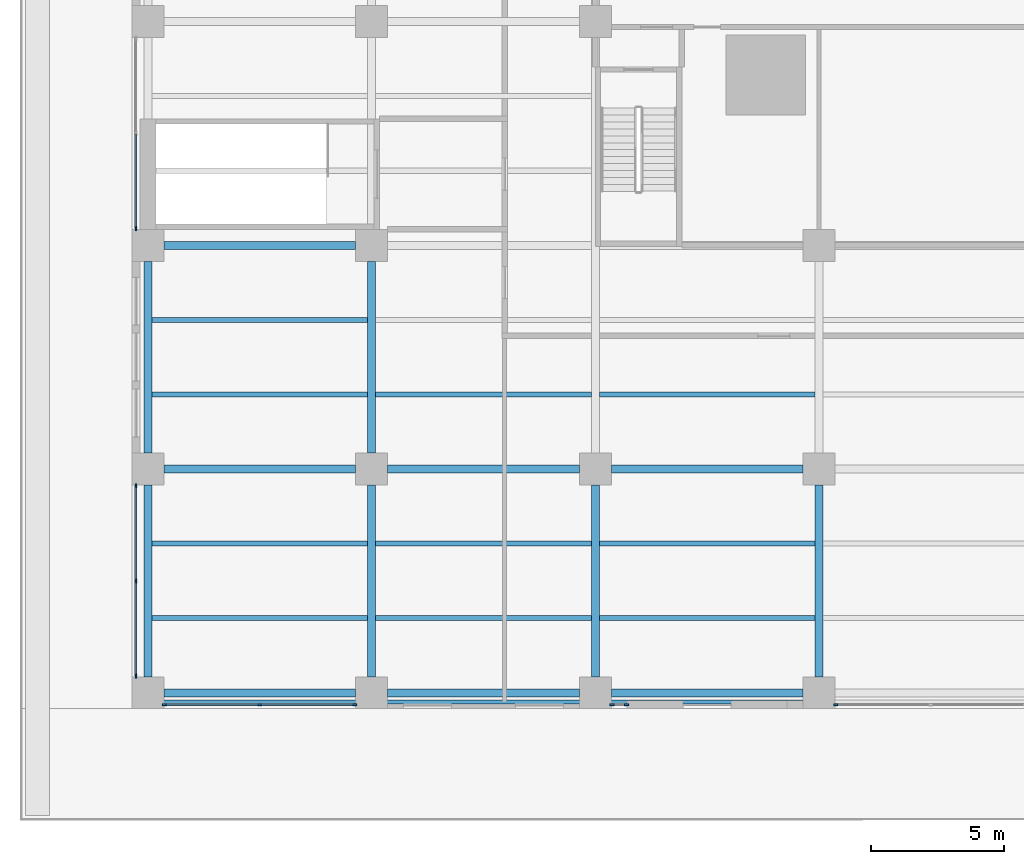
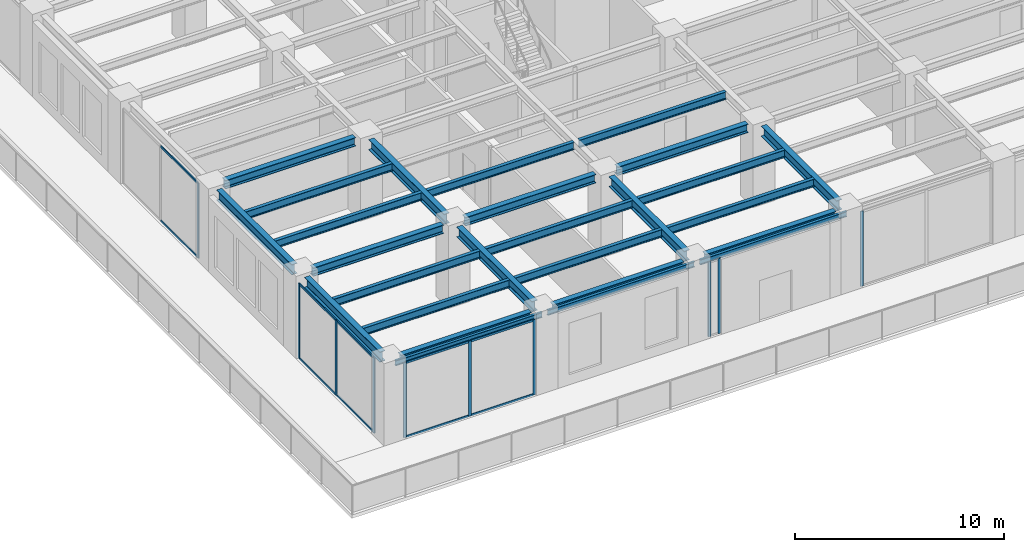
# One storey, part 2 of 53: 26 beams, 20 members, 5 elements without a shape of their own.
"""IFC4 building model written with IfcOpenShell, lengths in metres."""

from ifc_helpers import new_model, si_unit, direction, frame, origin, origin_2d, place, context, subcontext, project, spatial, rectangle, i_section, extrude, material, material_profile, profile_set, type_object, element, aggregate, save


model = new_model("IFC4")

# Units and contexts
model_context = context("Model", 3, precision=1e-05, world=origin(), true_north=direction((0.0, 1.0)))
body_context = subcontext(model_context, "Body", "Model", "MODEL_VIEW")
ifc_project = project(units=[si_unit("LENGTHUNIT", "METRE"), si_unit("AREAUNIT", "SQUARE_METRE"), si_unit("VOLUMEUNIT", "CUBIC_METRE"), si_unit("PLANEANGLEUNIT", "RADIAN"), si_unit("MASSUNIT", "GRAM", prefix="KILO")], contexts=[model_context])

# Site, building, storey
site_placement = place(None, origin())
site = spatial("IfcSite", under=ifc_project, at=site_placement, CompositionType="ELEMENT")
building_placement = place(site_placement, origin())
building = spatial("IfcBuilding", under=site, at=building_placement, Name="Khepri Terraces", CompositionType="ELEMENT")
storey_placement = place(building_placement, frame((0.0, 0.0, 7.199951171875)))
storey = spatial("IfcBuildingStorey", under=building, at=storey_placement, Name="L01", CompositionType="ELEMENT", Elevation=7.199951171875)

# Curtain wall, members
ifc_material_1 = material(Name="Anodised aluminium bronze curtain wall", Category="aluminium")
curtain_wall_type = type_object("IfcCurtainWallType", Name="CW-SYS2-PODIUM", PredefinedType="NOTDEFINED", material=ifc_material_1)
curtain_wall_1_placement = place(storey_placement, origin())
curtain_wall_1 = element("IfcCurtainWall", 1, at=curtain_wall_1_placement, inside=storey, type_object=curtain_wall_type, Name="Curtain wall CW2 L01 S", PredefinedType="NOTDEFINED")
ifc_material_2 = material(Name="Anodised aluminium bronze", Category="aluminium")
ifc_material_profile_1 = material_profile(ifc_material_2, rectangle(XDim=0.06005859375, YDim=0.159912109375, at=origin_2d()), Name="Anodised aluminium bronze", Category="aluminium")
ifc_profile_set_1 = profile_set([ifc_material_profile_1], Name="Anodised aluminium bronze")
member_type_1 = type_object("IfcMemberType", Name="CW-MULLION-60x160", PredefinedType="MULLION", material=ifc_profile_set_1)
member_1_placement = place(storey_placement, frame((-41.3701171875, -42.449951171875, 0.0), z_axis=(0.0, 0.0, 1.0), x_axis=(0.0, 1.0, 0.0)))
member_1 = element("IfcMember", 2, at=member_1_placement, type_object=member_type_1, Name="CW2 mullion 1", PredefinedType="MULLION", context=body_context, shape_type="SweptSolid", body=[
    extrude(rectangle(XDim=0.06005859375, YDim=0.159912109375, at=origin_2d()), origin(), (0.0, 0.0, 1.0), 4.380126953125),
])
member_2_placement = place(storey_placement, frame((-37.800048828125, -42.449951171875, 0.0), z_axis=(0.0, 0.0, 1.0), x_axis=(0.0, 1.0, 0.0)))
member_2 = element("IfcMember", 3, at=member_2_placement, type_object=member_type_1, Name="CW2 mullion 2", PredefinedType="MULLION", context=body_context, shape_type="SweptSolid", body=[
    extrude(rectangle(XDim=0.06005859375, YDim=0.159912109375, at=origin_2d()), origin(), (0.0, 0.0, 1.0), 4.380126953125),
])
member_3_placement = place(storey_placement, frame((-34.22998046875, -42.449951171875, 0.0), z_axis=(0.0, 0.0, 1.0), x_axis=(0.0, 1.0, 0.0)))
member_3 = element("IfcMember", 4, at=member_3_placement, type_object=member_type_1, Name="CW2 mullion 3", PredefinedType="MULLION", context=body_context, shape_type="SweptSolid", body=[
    extrude(rectangle(XDim=0.06005859375, YDim=0.159912109375, at=origin_2d()), origin(), (0.0, 0.0, 1.0), 4.380126953125),
])

curtain_wall_2_placement = place(storey_placement, origin())
curtain_wall_2 = element("IfcCurtainWall", 5, at=curtain_wall_2_placement, inside=storey, type_object=curtain_wall_type, Name="Curtain wall CW2 L01 S", PredefinedType="NOTDEFINED")
member_4_placement = place(storey_placement, frame((-24.570068359375, -42.449951171875, 0.0), z_axis=(0.0, 0.0, 1.0), x_axis=(0.0, 1.0, 0.0)))
member_4 = element("IfcMember", 6, at=member_4_placement, type_object=member_type_1, Name="CW2 mullion 1", PredefinedType="MULLION", context=body_context, shape_type="SweptSolid", body=[
    extrude(rectangle(XDim=0.06005859375, YDim=0.159912109375, at=origin_2d()), origin(), (0.0, 0.0, 1.0), 4.380126953125),
])
member_5_placement = place(storey_placement, frame((-24.030029296875, -42.449951171875, 0.0), z_axis=(0.0, 0.0, 1.0), x_axis=(0.0, 1.0, 0.0)))
member_5 = element("IfcMember", 7, at=member_5_placement, type_object=member_type_1, Name="CW2 mullion 2", PredefinedType="MULLION", context=body_context, shape_type="SweptSolid", body=[
    extrude(rectangle(XDim=0.06005859375, YDim=0.159912109375, at=origin_2d()), origin(), (0.0, 0.0, 1.0), 4.380126953125),
])
aggregate(curtain_wall_2, [member_4, member_5])

# Curtain wall, member
curtain_wall_3_placement = place(storey_placement, origin())
curtain_wall_3 = element("IfcCurtainWall", 8, at=curtain_wall_3_placement, inside=storey, type_object=curtain_wall_type, Name="Curtain wall CW2 L01 S", PredefinedType="NOTDEFINED")
member_6_placement = place(storey_placement, frame((-16.169921875, -42.449951171875, 0.0), z_axis=(0.0, 0.0, 1.0), x_axis=(0.0, 1.0, 0.0)))
member_6 = element("IfcMember", 9, at=member_6_placement, type_object=member_type_1, Name="CW2 mullion 1", PredefinedType="MULLION", context=body_context, shape_type="SweptSolid", body=[
    extrude(rectangle(XDim=0.06005859375, YDim=0.159912109375, at=origin_2d()), origin(), (0.0, 0.0, 1.0), 4.380126953125),
])
aggregate(curtain_wall_3, [member_6])

curtain_wall_4_placement = place(storey_placement, origin())
curtain_wall_4 = element("IfcCurtainWall", 10, at=curtain_wall_4_placement, inside=storey, type_object=curtain_wall_type, Name="Curtain wall CW2 L01 W", PredefinedType="NOTDEFINED")
member_7_placement = place(storey_placement, frame((-42.449951171875, -24.570068359375, 0.0), z_axis=(0.0, 0.0, 1.0), x_axis=(1.0, 0.0, 0.0)))
member_7 = element("IfcMember", 11, at=member_7_placement, type_object=member_type_1, Name="CW2 mullion 3", PredefinedType="MULLION", context=body_context, shape_type="SweptSolid", body=[
    extrude(rectangle(XDim=0.06005859375, YDim=0.159912109375, at=origin_2d()), origin(), (0.0, 0.0, 1.0), 4.380126953125),
])

# Curtain wall, members
curtain_wall_5_placement = place(storey_placement, origin())
curtain_wall_5 = element("IfcCurtainWall", 12, at=curtain_wall_5_placement, inside=storey, type_object=curtain_wall_type, Name="Curtain wall CW2 L01 W", PredefinedType="NOTDEFINED")
member_8_placement = place(storey_placement, frame((-42.449951171875, -34.22998046875, 0.0), z_axis=(0.0, 0.0, 1.0), x_axis=(1.0, 0.0, 0.0)))
member_8 = element("IfcMember", 13, at=member_8_placement, type_object=member_type_1, Name="CW2 mullion 1", PredefinedType="MULLION", context=body_context, shape_type="SweptSolid", body=[
    extrude(rectangle(XDim=0.06005859375, YDim=0.159912109375, at=origin_2d()), origin(), (0.0, 0.0, 1.0), 4.380126953125),
])
member_9_placement = place(storey_placement, frame((-42.449951171875, -37.800048828125, 0.0), z_axis=(0.0, 0.0, 1.0), x_axis=(1.0, 0.0, 0.0)))
member_9 = element("IfcMember", 14, at=member_9_placement, type_object=member_type_1, Name="CW2 mullion 2", PredefinedType="MULLION", context=body_context, shape_type="SweptSolid", body=[
    extrude(rectangle(XDim=0.06005859375, YDim=0.159912109375, at=origin_2d()), origin(), (0.0, 0.0, 1.0), 4.380126953125),
])
member_10_placement = place(storey_placement, frame((-42.449951171875, -41.3701171875, 0.0), z_axis=(0.0, 0.0, 1.0), x_axis=(1.0, 0.0, 0.0)))
member_10 = element("IfcMember", 15, at=member_10_placement, type_object=member_type_1, Name="CW2 mullion 3", PredefinedType="MULLION", context=body_context, shape_type="SweptSolid", body=[
    extrude(rectangle(XDim=0.06005859375, YDim=0.159912109375, at=origin_2d()), origin(), (0.0, 0.0, 1.0), 4.380126953125),
])

# Member
ifc_material_profile_2 = material_profile(ifc_material_2, rectangle(XDim=0.06005859375, YDim=0.1201171875, at=origin_2d()), Name="Anodised aluminium bronze", Category="aluminium")
ifc_profile_set_2 = profile_set([ifc_material_profile_2], Name="Anodised aluminium bronze")
member_type_2 = type_object("IfcMemberType", Name="CW-TRANSOM-60x120", PredefinedType="USERDEFINED", material=ifc_profile_set_2)
member_11_placement = place(storey_placement, frame((-41.340087890625, -42.449951171875, 0.030029296875), z_axis=(1.0, 0.0, 0.0), x_axis=(0.0, 1.0, 0.0)))
member_11 = element("IfcMember", 16, at=member_11_placement, type_object=member_type_2, Name="CW2 transom 1.1", ObjectType="TRANSOM", PredefinedType="USERDEFINED", context=body_context, shape_type="SweptSolid", body=[
    extrude(rectangle(XDim=0.06005859375, YDim=0.1201171875, at=origin_2d()), origin(), (0.0, 0.0, 1.0), 3.510009765625),
])

member_12_placement = place(storey_placement, frame((-41.340087890625, -42.449951171875, 4.35009765625), z_axis=(1.0, 0.0, 0.0), x_axis=(0.0, 1.0, 0.0)))
member_12 = element("IfcMember", 17, at=member_12_placement, type_object=member_type_2, Name="CW2 transom 1.2", ObjectType="TRANSOM", PredefinedType="USERDEFINED", context=body_context, shape_type="SweptSolid", body=[
    extrude(rectangle(XDim=0.06005859375, YDim=0.1201171875, at=origin_2d()), origin(), (0.0, 0.0, 1.0), 3.510009765625),
])

member_13_placement = place(storey_placement, frame((-37.77001953125, -42.449951171875, 0.030029296875), z_axis=(1.0, 0.0, 0.0), x_axis=(0.0, 1.0, 0.0)))
member_13 = element("IfcMember", 18, at=member_13_placement, type_object=member_type_2, Name="CW2 transom 2.1", ObjectType="TRANSOM", PredefinedType="USERDEFINED", context=body_context, shape_type="SweptSolid", body=[
    extrude(rectangle(XDim=0.06005859375, YDim=0.1201171875, at=origin_2d()), origin(), (0.0, 0.0, 1.0), 3.510009765625),
])

member_14_placement = place(storey_placement, frame((-37.77001953125, -42.449951171875, 4.35009765625), z_axis=(1.0, 0.0, 0.0), x_axis=(0.0, 1.0, 0.0)))
member_14 = element("IfcMember", 19, at=member_14_placement, type_object=member_type_2, Name="CW2 transom 2.2", ObjectType="TRANSOM", PredefinedType="USERDEFINED", context=body_context, shape_type="SweptSolid", body=[
    extrude(rectangle(XDim=0.06005859375, YDim=0.1201171875, at=origin_2d()), origin(), (0.0, 0.0, 1.0), 3.510009765625),
])

aggregate(curtain_wall_1, [member_1, member_2, member_3, member_11, member_12, member_13, member_14])

member_15_placement = place(storey_placement, frame((-42.449951171875, -21.030029296875, 0.030029296875), z_axis=(0.0, -1.0, 0.0), x_axis=(1.0, 0.0, 0.0)))
member_15 = element("IfcMember", 20, at=member_15_placement, type_object=member_type_2, Name="CW2 transom 2.1", ObjectType="TRANSOM", PredefinedType="USERDEFINED", context=body_context, shape_type="SweptSolid", body=[
    extrude(rectangle(XDim=0.06005859375, YDim=0.1201171875, at=origin_2d()), origin(), (0.0, 0.0, 1.0), 3.510009765625),
])

member_16_placement = place(storey_placement, frame((-42.449951171875, -21.030029296875, 4.35009765625), z_axis=(0.0, -1.0, 0.0), x_axis=(1.0, 0.0, 0.0)))
member_16 = element("IfcMember", 21, at=member_16_placement, type_object=member_type_2, Name="CW2 transom 2.2", ObjectType="TRANSOM", PredefinedType="USERDEFINED", context=body_context, shape_type="SweptSolid", body=[
    extrude(rectangle(XDim=0.06005859375, YDim=0.1201171875, at=origin_2d()), origin(), (0.0, 0.0, 1.0), 3.510009765625),
])

aggregate(curtain_wall_4, [member_7, member_15, member_16])

member_17_placement = place(storey_placement, frame((-42.449951171875, -34.260009765625, 0.030029296875), z_axis=(0.0, -1.0, 0.0), x_axis=(1.0, 0.0, 0.0)))
member_17 = element("IfcMember", 22, at=member_17_placement, type_object=member_type_2, Name="CW2 transom 1.1", ObjectType="TRANSOM", PredefinedType="USERDEFINED", context=body_context, shape_type="SweptSolid", body=[
    extrude(rectangle(XDim=0.06005859375, YDim=0.1201171875, at=origin_2d()), origin(), (0.0, 0.0, 1.0), 3.510009765625),
])

member_18_placement = place(storey_placement, frame((-42.449951171875, -34.260009765625, 4.35009765625), z_axis=(0.0, -1.0, 0.0), x_axis=(1.0, 0.0, 0.0)))
member_18 = element("IfcMember", 23, at=member_18_placement, type_object=member_type_2, Name="CW2 transom 1.2", ObjectType="TRANSOM", PredefinedType="USERDEFINED", context=body_context, shape_type="SweptSolid", body=[
    extrude(rectangle(XDim=0.06005859375, YDim=0.1201171875, at=origin_2d()), origin(), (0.0, 0.0, 1.0), 3.510009765625),
])

member_19_placement = place(storey_placement, frame((-42.449951171875, -37.830078125, 0.030029296875), z_axis=(0.0, -1.0, 0.0), x_axis=(1.0, 0.0, 0.0)))
member_19 = element("IfcMember", 24, at=member_19_placement, type_object=member_type_2, Name="CW2 transom 2.1", ObjectType="TRANSOM", PredefinedType="USERDEFINED", context=body_context, shape_type="SweptSolid", body=[
    extrude(rectangle(XDim=0.06005859375, YDim=0.1201171875, at=origin_2d()), origin(), (0.0, 0.0, 1.0), 3.510009765625),
])

member_20_placement = place(storey_placement, frame((-42.449951171875, -37.830078125, 4.35009765625), z_axis=(0.0, -1.0, 0.0), x_axis=(1.0, 0.0, 0.0)))
member_20 = element("IfcMember", 25, at=member_20_placement, type_object=member_type_2, Name="CW2 transom 2.2", ObjectType="TRANSOM", PredefinedType="USERDEFINED", context=body_context, shape_type="SweptSolid", body=[
    extrude(rectangle(XDim=0.06005859375, YDim=0.1201171875, at=origin_2d()), origin(), (0.0, 0.0, 1.0), 3.510009765625),
])

aggregate(curtain_wall_5, [member_8, member_9, member_10, member_17, member_18, member_19, member_20])

# Beams
ifc_material_3 = material(Name="Steel S355", Category="steel")
ifc_material_profile_3 = material_profile(ifc_material_3, i_section(OverallWidth=0.14990234375, OverallDepth=0.300048828125, WebThickness=0.007080078125, FlangeThickness=0.0107421875, FilletRadius=0.014892578125, at=origin_2d()), Name="Steel S355", Category="steel")
ifc_profile_set_3 = profile_set([ifc_material_profile_3], Name="Steel S355")
beam_type_1 = type_object("IfcBeamType", Name="Podium edge beam L02 IPE 300", PredefinedType="SPANDREL", material=ifc_profile_set_3)
beam_1_placement = place(storey_placement, frame((-41.85009765625, -42.35009765625, 4.449951171875), z_axis=(1.0, 0.0, 0.0), x_axis=(0.0, 1.0, 0.0)))
element("IfcBeam", 26, at=beam_1_placement, inside=storey, type_object=beam_type_1, Name="Podium edge beam L02 001", PredefinedType="SPANDREL", context=body_context, shape_type="SweptSolid", body=[
    extrude(i_section(OverallWidth=0.14990234375, OverallDepth=0.300048828125, WebThickness=0.007080078125, FlangeThickness=0.0107421875, FilletRadius=0.014892578125, at=origin_2d()), origin(), (0.0, 0.0, 1.0), 8.10009765625),
])
beam_2_placement = place(storey_placement, frame((-33.449951171875, -42.35009765625, 4.449951171875), z_axis=(1.0, 0.0, 0.0), x_axis=(0.0, 1.0, 0.0)))
element("IfcBeam", 27, at=beam_2_placement, inside=storey, type_object=beam_type_1, Name="Podium edge beam L02 002", PredefinedType="SPANDREL", context=body_context, shape_type="SweptSolid", body=[
    extrude(i_section(OverallWidth=0.14990234375, OverallDepth=0.300048828125, WebThickness=0.007080078125, FlangeThickness=0.0107421875, FilletRadius=0.014892578125, at=origin_2d()), origin(), (0.0, 0.0, 1.0), 8.099853515625),
])
beam_3_placement = place(storey_placement, frame((-25.050048828125, -42.35009765625, 4.449951171875), z_axis=(1.0, 0.0, 0.0), x_axis=(0.0, 1.0, 0.0)))
element("IfcBeam", 28, at=beam_3_placement, inside=storey, type_object=beam_type_1, Name="Podium edge beam L02 003", PredefinedType="SPANDREL", context=body_context, shape_type="SweptSolid", body=[
    extrude(i_section(OverallWidth=0.14990234375, OverallDepth=0.300048828125, WebThickness=0.007080078125, FlangeThickness=0.0107421875, FilletRadius=0.014892578125, at=origin_2d()), origin(), (0.0, 0.0, 1.0), 8.10009765625),
])
ifc_material_profile_4 = material_profile(ifc_material_3, i_section(OverallWidth=0.300048828125, OverallDepth=0.60009765625, WebThickness=0.015380859375, FlangeThickness=0.030029296875, FilletRadius=0.027099609375, at=origin_2d()), Name="Steel S355", Category="steel")
ifc_profile_set_4 = profile_set([ifc_material_profile_4], Name="Steel S355")
beam_type_2 = type_object("IfcBeamType", Name="Podium girder L02 HEB 600", PredefinedType="BEAM", material=ifc_profile_set_4)
for number, where, z_axis, x_axis, name in (
    (29, (-42.0, -41.39990234375, 4.300048828125), (0.0, 1.0, 0.0), (-1.0, 0.0, 0.0), "Podium girder L02 001"),
    (30, (-42.0, -33.0, 4.300048828125), (0.0, 1.0, 0.0), (-1.0, 0.0, 0.0), "Podium girder L02 002"),
    (31, (-33.60009765625, -41.39990234375, 4.300048828125), (0.0, 1.0, 0.0), (-1.0, 0.0, 0.0), "Podium girder L02 011"),
    (32, (-33.60009765625, -33.0, 4.300048828125), (0.0, 1.0, 0.0), (-1.0, 0.0, 0.0), "Podium girder L02 012"),
    (33, (-25.199951171875, -41.39990234375, 4.300048828125), (0.0, 1.0, 0.0), (-1.0, 0.0, 0.0), "Podium girder L02 021"),
    (34, (-16.800048828125, -41.39990234375, 4.300048828125), (0.0, 1.0, 0.0), (-1.0, 0.0, 0.0), "Podium girder L02 029"),
):
    element("IfcBeam", number, at=place(storey_placement, frame(where, z_axis=z_axis, x_axis=x_axis)), inside=storey, type_object=beam_type_2, Name=name, PredefinedType="BEAM", context=body_context, shape_type="SweptSolid", body=[
        extrude(i_section(OverallWidth=0.300048828125, OverallDepth=0.60009765625, WebThickness=0.015380859375, FlangeThickness=0.030029296875, FilletRadius=0.027099609375, at=origin_2d()), origin(), (0.0, 0.0, 1.0), 7.199951171875),
    ])
ifc_material_profile_5 = material_profile(ifc_material_3, i_section(OverallWidth=0.300048828125, OverallDepth=0.5, WebThickness=0.014404296875, FlangeThickness=0.028076171875, FilletRadius=0.027099609375, at=origin_2d()), Name="Steel S355", Category="steel")
ifc_profile_set_5 = profile_set([ifc_material_profile_5], Name="Steel S355")
beam_type_3 = type_object("IfcBeamType", Name="Podium girder L02 grid line HEB 500", PredefinedType="BEAM", material=ifc_profile_set_5)
for number, where, z_axis, x_axis, name in (
    (35, (-41.39990234375, -42.0, 4.35009765625), (1.0, 0.0, 0.0), (0.0, 1.0, 0.0), "Podium grid-line girder L02 001"),
    (36, (-33.0, -42.0, 4.35009765625), (1.0, 0.0, 0.0), (0.0, 1.0, 0.0), "Podium grid-line girder L02 002"),
):
    element("IfcBeam", number, at=place(storey_placement, frame(where, z_axis=z_axis, x_axis=x_axis)), inside=storey, type_object=beam_type_3, Name=name, PredefinedType="BEAM", context=body_context, shape_type="SweptSolid", body=[
        extrude(i_section(OverallWidth=0.300048828125, OverallDepth=0.5, WebThickness=0.014404296875, FlangeThickness=0.028076171875, FilletRadius=0.027099609375, at=origin_2d()), origin(), (0.0, 0.0, 1.0), 7.199951171875),
    ])
beam_4_placement = place(storey_placement, frame((-24.60009765625, -42.0, 4.35009765625), z_axis=(1.0, 0.0, 0.0), x_axis=(0.0, 1.0, 0.0)))
element("IfcBeam", 37, at=beam_4_placement, inside=storey, type_object=beam_type_3, Name="Podium grid-line girder L02 003", PredefinedType="BEAM", context=body_context, shape_type="SweptSolid", body=[
    extrude(i_section(OverallWidth=0.300048828125, OverallDepth=0.5, WebThickness=0.014404296875, FlangeThickness=0.028076171875, FilletRadius=0.027099609375, at=origin_2d()), origin(), (0.0, 0.0, 1.0), 7.2001953125),
])
for number, where, z_axis, x_axis, name in (
    (38, (-41.39990234375, -33.60009765625, 4.35009765625), (1.0, 0.0, 0.0), (0.0, 1.0, 0.0), "Podium grid-line girder L02 031"),
    (39, (-33.0, -33.60009765625, 4.35009765625), (1.0, 0.0, 0.0), (0.0, 1.0, 0.0), "Podium grid-line girder L02 032"),
):
    element("IfcBeam", number, at=place(storey_placement, frame(where, z_axis=z_axis, x_axis=x_axis)), inside=storey, type_object=beam_type_3, Name=name, PredefinedType="BEAM", context=body_context, shape_type="SweptSolid", body=[
        extrude(i_section(OverallWidth=0.300048828125, OverallDepth=0.5, WebThickness=0.014404296875, FlangeThickness=0.028076171875, FilletRadius=0.027099609375, at=origin_2d()), origin(), (0.0, 0.0, 1.0), 7.199951171875),
    ])
beam_5_placement = place(storey_placement, frame((-24.60009765625, -33.60009765625, 4.35009765625), z_axis=(1.0, 0.0, 0.0), x_axis=(0.0, 1.0, 0.0)))
element("IfcBeam", 40, at=beam_5_placement, inside=storey, type_object=beam_type_3, Name="Podium grid-line girder L02 033", PredefinedType="BEAM", context=body_context, shape_type="SweptSolid", body=[
    extrude(i_section(OverallWidth=0.300048828125, OverallDepth=0.5, WebThickness=0.014404296875, FlangeThickness=0.028076171875, FilletRadius=0.027099609375, at=origin_2d()), origin(), (0.0, 0.0, 1.0), 7.2001953125),
])
beam_6_placement = place(storey_placement, frame((-41.39990234375, -25.199951171875, 4.35009765625), z_axis=(1.0, 0.0, 0.0), x_axis=(0.0, 1.0, 0.0)))
element("IfcBeam", 41, at=beam_6_placement, inside=storey, type_object=beam_type_3, Name="Podium grid-line girder L02 061", PredefinedType="BEAM", context=body_context, shape_type="SweptSolid", body=[
    extrude(i_section(OverallWidth=0.300048828125, OverallDepth=0.5, WebThickness=0.014404296875, FlangeThickness=0.028076171875, FilletRadius=0.027099609375, at=origin_2d()), origin(), (0.0, 0.0, 1.0), 7.199951171875),
])
ifc_material_profile_6 = material_profile(ifc_material_3, i_section(OverallWidth=0.18994140625, OverallDepth=0.449951171875, WebThickness=0.009521484375, FlangeThickness=0.0146484375, FilletRadius=0.02099609375, at=origin_2d()), Name="Steel S355", Category="steel")
ifc_profile_set_6 = profile_set([ifc_material_profile_6], Name="Steel S355")
beam_type_4 = type_object("IfcBeamType", Name="Podium joist L02 IPE 450", PredefinedType="JOIST", material=ifc_profile_set_6)
beam_7_placement = place(storey_placement, frame((-41.85009765625, -39.199951171875, 4.375), z_axis=(1.0, 0.0, 0.0), x_axis=(0.0, 1.0, 0.0)))
element("IfcBeam", 42, at=beam_7_placement, inside=storey, type_object=beam_type_4, Name="Podium joist L02 011", PredefinedType="JOIST", context=body_context, shape_type="SweptSolid", body=[
    extrude(i_section(OverallWidth=0.18994140625, OverallDepth=0.449951171875, WebThickness=0.009521484375, FlangeThickness=0.0146484375, FilletRadius=0.02099609375, at=origin_2d()), origin(), (0.0, 0.0, 1.0), 8.10009765625),
])
beam_8_placement = place(storey_placement, frame((-33.449951171875, -39.199951171875, 4.375), z_axis=(1.0, 0.0, 0.0), x_axis=(0.0, 1.0, 0.0)))
element("IfcBeam", 43, at=beam_8_placement, inside=storey, type_object=beam_type_4, Name="Podium joist L02 012", PredefinedType="JOIST", context=body_context, shape_type="SweptSolid", body=[
    extrude(i_section(OverallWidth=0.18994140625, OverallDepth=0.449951171875, WebThickness=0.009521484375, FlangeThickness=0.0146484375, FilletRadius=0.02099609375, at=origin_2d()), origin(), (0.0, 0.0, 1.0), 8.099853515625),
])
for number, where, z_axis, x_axis, name in (
    (44, (-25.050048828125, -39.199951171875, 4.375), (1.0, 0.0, 0.0), (0.0, 1.0, 0.0), "Podium joist L02 013"),
    (45, (-41.85009765625, -36.39990234375, 4.375), (1.0, 0.0, 0.0), (0.0, 1.0, 0.0), "Podium joist L02 021"),
):
    element("IfcBeam", number, at=place(storey_placement, frame(where, z_axis=z_axis, x_axis=x_axis)), inside=storey, type_object=beam_type_4, Name=name, PredefinedType="JOIST", context=body_context, shape_type="SweptSolid", body=[
        extrude(i_section(OverallWidth=0.18994140625, OverallDepth=0.449951171875, WebThickness=0.009521484375, FlangeThickness=0.0146484375, FilletRadius=0.02099609375, at=origin_2d()), origin(), (0.0, 0.0, 1.0), 8.10009765625),
    ])
beam_9_placement = place(storey_placement, frame((-33.449951171875, -36.39990234375, 4.375), z_axis=(1.0, 0.0, 0.0), x_axis=(0.0, 1.0, 0.0)))
element("IfcBeam", 46, at=beam_9_placement, inside=storey, type_object=beam_type_4, Name="Podium joist L02 022", PredefinedType="JOIST", context=body_context, shape_type="SweptSolid", body=[
    extrude(i_section(OverallWidth=0.18994140625, OverallDepth=0.449951171875, WebThickness=0.009521484375, FlangeThickness=0.0146484375, FilletRadius=0.02099609375, at=origin_2d()), origin(), (0.0, 0.0, 1.0), 8.099853515625),
])
for number, where, z_axis, x_axis, name in (
    (47, (-25.050048828125, -36.39990234375, 4.375), (1.0, 0.0, 0.0), (0.0, 1.0, 0.0), "Podium joist L02 023"),
    (48, (-41.85009765625, -30.800048828125, 4.375), (1.0, 0.0, 0.0), (0.0, 1.0, 0.0), "Podium joist L02 041"),
):
    element("IfcBeam", number, at=place(storey_placement, frame(where, z_axis=z_axis, x_axis=x_axis)), inside=storey, type_object=beam_type_4, Name=name, PredefinedType="JOIST", context=body_context, shape_type="SweptSolid", body=[
        extrude(i_section(OverallWidth=0.18994140625, OverallDepth=0.449951171875, WebThickness=0.009521484375, FlangeThickness=0.0146484375, FilletRadius=0.02099609375, at=origin_2d()), origin(), (0.0, 0.0, 1.0), 8.10009765625),
    ])
beam_10_placement = place(storey_placement, frame((-33.449951171875, -30.800048828125, 4.375), z_axis=(1.0, 0.0, 0.0), x_axis=(0.0, 1.0, 0.0)))
element("IfcBeam", 49, at=beam_10_placement, inside=storey, type_object=beam_type_4, Name="Podium joist L02 042", PredefinedType="JOIST", context=body_context, shape_type="SweptSolid", body=[
    extrude(i_section(OverallWidth=0.18994140625, OverallDepth=0.449951171875, WebThickness=0.009521484375, FlangeThickness=0.0146484375, FilletRadius=0.02099609375, at=origin_2d()), origin(), (0.0, 0.0, 1.0), 8.099853515625),
])
for number, where, z_axis, x_axis, name in (
    (50, (-25.050048828125, -30.800048828125, 4.375), (1.0, 0.0, 0.0), (0.0, 1.0, 0.0), "Podium joist L02 043"),
    (51, (-41.85009765625, -28.0, 4.375), (1.0, 0.0, 0.0), (0.0, 1.0, 0.0), "Podium joist L02 051"),
):
    element("IfcBeam", number, at=place(storey_placement, frame(where, z_axis=z_axis, x_axis=x_axis)), inside=storey, type_object=beam_type_4, Name=name, PredefinedType="JOIST", context=body_context, shape_type="SweptSolid", body=[
        extrude(i_section(OverallWidth=0.18994140625, OverallDepth=0.449951171875, WebThickness=0.009521484375, FlangeThickness=0.0146484375, FilletRadius=0.02099609375, at=origin_2d()), origin(), (0.0, 0.0, 1.0), 8.10009765625),
    ])

save(model, "model.ifc")
